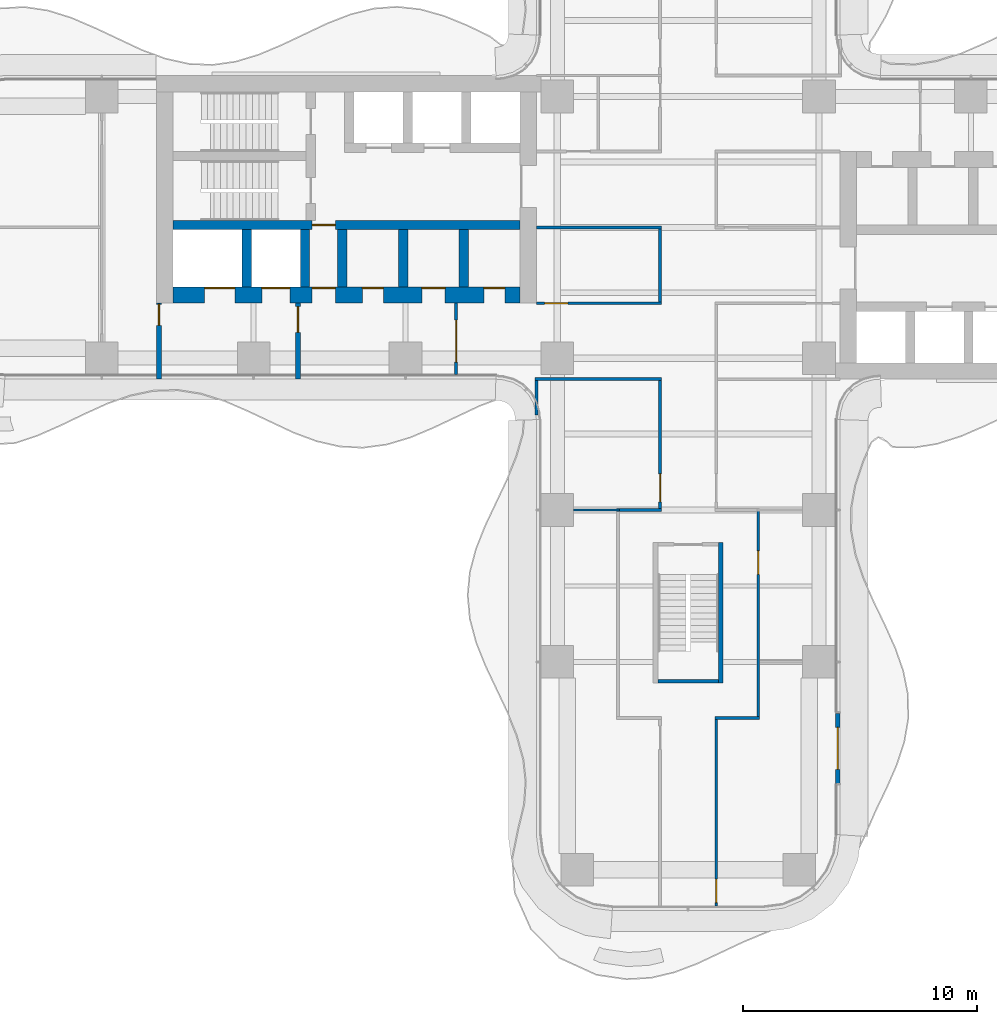
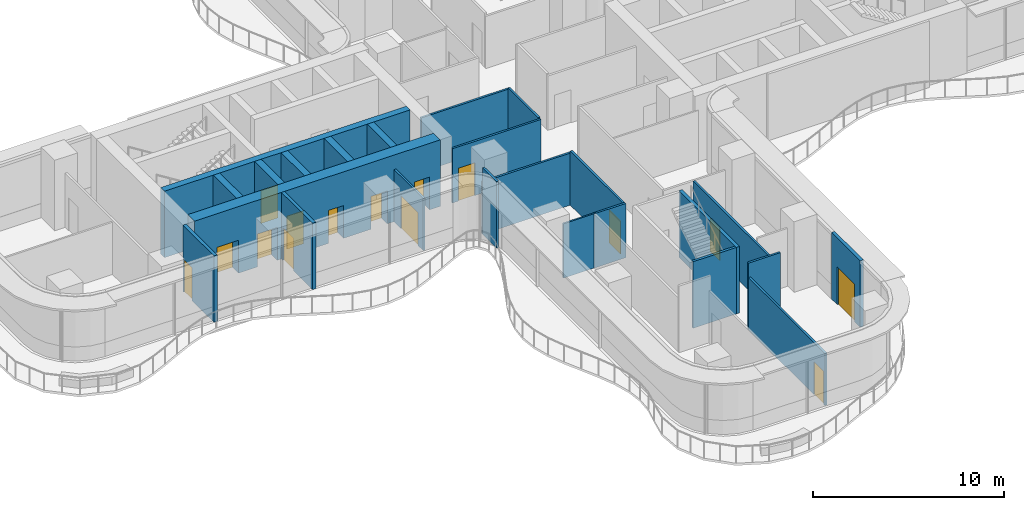
# One storey, part 17 of 22: 24 walls, 15 doors, 15 openings.
"""IFC4 building model written with IfcOpenShell, lengths in metres."""

from ifc_helpers import new_model, si_unit, direction, frame, frame_2d, origin, place, context, subcontext, project, spatial, rectangle, extrude, source, transform, mapped, material, layer, layer_set, type_object, element, fill, save


model = new_model("IFC4")

# Units and contexts
model_context = context("Model", 3, precision=1e-05, world=origin(), true_north=direction((0.0, 1.0)))
body_context = subcontext(model_context, "Body", "Model", "MODEL_VIEW")
ifc_project = project(units=[si_unit("LENGTHUNIT", "METRE"), si_unit("AREAUNIT", "SQUARE_METRE"), si_unit("VOLUMEUNIT", "CUBIC_METRE"), si_unit("PLANEANGLEUNIT", "RADIAN"), si_unit("MASSUNIT", "GRAM", prefix="KILO")], contexts=[model_context])

# Site, building, storey
site_placement = place(None, origin())
site = spatial("IfcSite", under=ifc_project, at=site_placement, CompositionType="ELEMENT")
building_placement = place(site_placement, origin())
building = spatial("IfcBuilding", under=site, at=building_placement, Name="Trellis Farm Tower", CompositionType="ELEMENT")
storey_placement = place(building_placement, frame((0.0, 0.0, 70.0)))
storey = spatial("IfcBuildingStorey", under=building, at=storey_placement, Name="L14", CompositionType="ELEMENT", Elevation=70.0)

# Walls
ifc_material_1 = material(Name="Concrete C80/95", Category="concrete")
ifc_layer_1 = layer(ifc_material_1, 0.39990234375)
ifc_layer_set_1 = layer_set([ifc_layer_1], Name="CORE INNER WALL 400 CONCRETE C80/95")
wall_type_1 = type_object("IfcWallType", Name="CORE INNER WALL 400 CONCRETE C80/95", PredefinedType="SHEAR", material=ifc_layer_set_1)
shared_shape_1 = source(origin(), body_context, "Body", "SweptSolid", [
    extrude(rectangle(XDim=2.449951171875, YDim=0.39990234375, at=frame_2d((1.22509765625, 0.0))), origin(), (0.0, 0.0, 1.0), 4.25),
])
for number, where, z_axis, x_axis, name in (
    (1, (-9.60009765625, -0.10009765625, 0.0), (0.0, 0.0, 1.0), (0.0, -1.0, 0.0), "Core wall"),
    (2, (-12.199951171875, -0.10009765625, 0.0), (0.0, 0.0, 1.0), (0.0, -1.0, 0.0), "Core wall"),
    (3, (-14.800048828125, -0.10009765625, 0.0), (0.0, 0.0, 1.0), (0.0, -1.0, 0.0), "Core wall"),
    (4, (-16.39990234375, -0.10009765625, 0.0), (0.0, 0.0, 1.0), (0.0, -1.0, 0.0), "Core wall"),
    (5, (-18.89990234375, -0.10009765625, 0.0), (0.0, 0.0, 1.0), (0.0, -1.0, 0.0), "Core wall"),
):
    element("IfcWall", number, at=place(storey_placement, frame(where, z_axis=z_axis, x_axis=x_axis)), inside=storey, type_object=wall_type_1, Name=name, PredefinedType="SHEAR", context=body_context, shape_type="MappedRepresentation", body=[
        mapped(shared_shape_1, transform((0.0, 0.0, 0.0))),
    ])

# Wall, opening, door
ifc_material_2 = material(Name="Masonry blockwork", Category="masonry")
ifc_layer_2 = layer(ifc_material_2, 0.199951171875)
ifc_layer_set_2 = layer_set([ifc_layer_2], Name="FIRE LOBBY PARTITION 200 BLOCKWORK")
wall_type_2 = type_object("IfcWallType", Name="FIRE LOBBY PARTITION 200 BLOCKWORK", PredefinedType="PARTITIONING", material=ifc_layer_set_2)
shared_shape_2 = source(origin(), body_context, "Body", "SweptSolid", [
    extrude(rectangle(XDim=3.25, YDim=0.199951171875, at=frame_2d((1.625, 0.0))), origin(), (0.0, 0.0, 1.0), 4.25),
])
wall_1_placement = place(storey_placement, frame((-16.699951171875, -3.25, 0.0), z_axis=(0.0, 0.0, 1.0), x_axis=(0.0, -1.0, 0.0)))
wall_1 = element("IfcWall", 6, at=wall_1_placement, inside=storey, type_object=wall_type_2, Name="Fire-fighting lobby partition", PredefinedType="PARTITIONING", context=body_context, shape_type="MappedRepresentation", body=[
    mapped(shared_shape_2, transform((0.0, 0.0, 0.0))),
])
shared_shape_3 = source(origin(), body_context, "Body", "SweptSolid", [
    extrude(rectangle(XDim=1.10009765625, YDim=2.10009765625, at=frame_2d((0.550048828125, 1.050048828125))), frame((0.0, 0.110107421875, 0.0), z_axis=(0.0, -1.0, 0.0), x_axis=(1.0, 0.0, 0.0)), (0.0, 0.0, 1.0), 0.22021484375),
])
opening_1_placement = place(wall_1_placement, frame((0.14990234375, 0.0, 0.0)))
opening_1 = element("IfcOpeningElement", 7, at=opening_1_placement, cuts=wall_1, Name="Opening DC93", PredefinedType="OPENING", context=body_context, shape_type="MappedRepresentation", body=[
    mapped(shared_shape_3, transform((0.0, 0.0, 0.0))),
])
ifc_material_3 = material(Name="Steel", Category="steel")
door_type_1 = type_object("IfcDoorType", Name="CORE FIRE DOOR 1100 X 2100", OperationType="NOTDEFINED", PredefinedType="DOOR", material=ifc_material_3)
shared_shape_4 = source(origin(), body_context, "Body", "SweptSolid", [
    extrude(rectangle(XDim=1.10009765625, YDim=2.10009765625, at=frame_2d((0.550048828125, 1.050048828125))), frame((0.0, 0.02490234375, 0.0), z_axis=(0.0, -1.0, 0.0), x_axis=(1.0, 0.0, 0.0)), (0.0, 0.0, 1.0), 0.050048828125),
])
door_1_placement = place(opening_1_placement, origin())
door_1 = element("IfcDoor", 8, at=door_1_placement, inside=storey, type_object=door_type_1, Name="Core door", OperationType="SINGLE_SWING_RIGHT", OverallHeight=2.10009765625, OverallWidth=1.10009765625, PredefinedType="DOOR", context=body_context, shape_type="MappedRepresentation", body=[
    mapped(shared_shape_4, transform((0.0, 0.0, 0.0))),
])
fill(opening_1, door_1)

wall_2_placement = place(storey_placement, frame((-22.64990234375, -3.25, 0.0), z_axis=(0.0, 0.0, 1.0), x_axis=(0.0, -1.0, 0.0)))
wall_2 = element("IfcWall", 9, at=wall_2_placement, inside=storey, type_object=wall_type_2, Name="Fire-fighting lobby partition", PredefinedType="PARTITIONING", context=body_context, shape_type="MappedRepresentation", body=[
    mapped(shared_shape_2, transform((0.0, 0.0, 0.0))),
])
shared_shape_5 = source(origin(), body_context, "Body", "SweptSolid", [
    extrude(rectangle(XDim=0.89990234375, YDim=2.10009765625, at=frame_2d((0.449951171875, 1.050048828125))), frame((0.0, 0.110107421875, 0.0), z_axis=(0.0, -1.0, 0.0), x_axis=(1.0, 0.0, 0.0)), (0.0, 0.0, 1.0), 0.22021484375),
])
opening_2_placement = place(wall_2_placement, frame((0.050048828125, 0.0, 0.0)))
opening_2 = element("IfcOpeningElement", 10, at=opening_2_placement, cuts=wall_2, Name="Opening DC94", PredefinedType="OPENING", context=body_context, shape_type="MappedRepresentation", body=[
    mapped(shared_shape_5, transform((0.0, 0.0, 0.0))),
])
door_type_2 = type_object("IfcDoorType", Name="CORE FIRE DOOR 900 X 2100", OperationType="NOTDEFINED", PredefinedType="DOOR", material=ifc_material_3)
shared_shape_6 = source(origin(), body_context, "Body", "SweptSolid", [
    extrude(rectangle(XDim=0.89990234375, YDim=2.10009765625, at=frame_2d((0.449951171875, 1.050048828125))), frame((0.0, 0.02490234375, 0.0), z_axis=(0.0, -1.0, 0.0), x_axis=(1.0, 0.0, 0.0)), (0.0, 0.0, 1.0), 0.050048828125),
])
door_2_placement = place(opening_2_placement, origin())
door_2 = element("IfcDoor", 11, at=door_2_placement, inside=storey, type_object=door_type_2, Name="Core door", OperationType="SINGLE_SWING_RIGHT", OverallHeight=2.10009765625, OverallWidth=0.89990234375, PredefinedType="DOOR", context=body_context, shape_type="MappedRepresentation", body=[
    mapped(shared_shape_6, transform((0.0, 0.0, 0.0))),
])
fill(opening_2, door_2)

# Wall, openings, doors
ifc_layer_3 = layer(ifc_material_1, 0.699951171875)
ifc_layer_set_3 = layer_set([ifc_layer_3], Name="CORE OUTER WALL 700 CONCRETE C80/95")
wall_type_3 = type_object("IfcWallType", Name="CORE OUTER WALL 700 CONCRETE C80/95", PredefinedType="SHEAR", material=ifc_layer_set_3)
shared_shape_7 = source(origin(), body_context, "Body", "SweptSolid", [
    extrude(rectangle(XDim=14.85009765625, YDim=0.699951171875, at=frame_2d((7.425048828125, 0.0))), origin(), (0.0, 0.0, 1.0), 4.25),
])
wall_3_placement = place(storey_placement, frame((-7.199951171875, -2.89990234375, 0.0), z_axis=(0.0, 0.0, 1.0), x_axis=(-1.0, 0.0, 0.0)))
wall_3 = element("IfcWall", 12, at=wall_3_placement, inside=storey, type_object=wall_type_3, Name="Core wall", PredefinedType="SHEAR", context=body_context, shape_type="MappedRepresentation", body=[
    mapped(shared_shape_7, transform((0.0, 0.0, 0.0))),
])
shared_shape_8 = source(origin(), body_context, "Body", "SweptSolid", [
    extrude(rectangle(XDim=1.300048828125, YDim=2.10009765625, at=frame_2d((0.64990234375, 1.050048828125))), frame((0.0, 0.360107421875, 0.0), z_axis=(0.0, -1.0, 0.0), x_axis=(1.0, 0.0, 0.0)), (0.0, 0.0, 1.0), 0.72021484375),
])
opening_3_placement = place(wall_3_placement, frame((12.199951171875, 0.0, 0.0)))
opening_3 = element("IfcOpeningElement", 13, at=opening_3_placement, cuts=wall_3, Name="Opening LD15", PredefinedType="OPENING", context=body_context, shape_type="MappedRepresentation", body=[
    mapped(shared_shape_8, transform((0.0, 0.0, 0.0))),
])
shared_shape_9 = source(origin(), body_context, "Body", "SweptSolid", [
    extrude(rectangle(XDim=1.199951171875, YDim=2.10009765625, at=frame_2d((0.60009765625, 1.050048828125))), frame((0.0, 0.360107421875, 0.0), z_axis=(0.0, -1.0, 0.0), x_axis=(1.0, 0.0, 0.0)), (0.0, 0.0, 1.0), 0.72021484375),
])
opening_4_placement = place(wall_3_placement, frame((9.85009765625, 0.0, 0.0)))
opening_4 = element("IfcOpeningElement", 14, at=opening_4_placement, cuts=wall_3, Name="Opening LD16", PredefinedType="OPENING", context=body_context, shape_type="MappedRepresentation", body=[
    mapped(shared_shape_9, transform((0.0, 0.0, 0.0))),
])
shared_shape_10 = source(origin(), body_context, "Body", "SweptSolid", [
    extrude(rectangle(XDim=1.0, YDim=2.10009765625, at=frame_2d((0.5, 1.050048828125))), frame((0.0, 0.360107421875, 0.0), z_axis=(0.0, -1.0, 0.0), x_axis=(1.0, 0.0, 0.0)), (0.0, 0.0, 1.0), 0.72021484375),
])
opening_5_placement = place(wall_3_placement, frame((7.89990234375, 0.0, 0.0)))
opening_5 = element("IfcOpeningElement", 15, at=opening_5_placement, cuts=wall_3, Name="Opening DC92", PredefinedType="OPENING", context=body_context, shape_type="MappedRepresentation", body=[
    mapped(shared_shape_10, transform((0.0, 0.0, 0.0))),
])
shared_shape_11 = source(origin(), body_context, "Body", "SweptSolid", [
    extrude(rectangle(XDim=0.89990234375, YDim=2.10009765625, at=frame_2d((0.449951171875, 1.050048828125))), frame((0.0, 0.360107421875, 0.0), z_axis=(0.0, -1.0, 0.0), x_axis=(1.0, 0.0, 0.0)), (0.0, 0.0, 1.0), 0.72021484375),
])
opening_6_placement = place(wall_3_placement, frame((0.64990234375, 0.0, 0.0)))
opening_6 = element("IfcOpeningElement", 16, at=opening_6_placement, cuts=wall_3, Name="Opening DC97", PredefinedType="OPENING", context=body_context, shape_type="MappedRepresentation", body=[
    mapped(shared_shape_11, transform((0.0, 0.0, 0.0))),
])
opening_7_placement = place(wall_3_placement, frame((3.199951171875, 0.0, 0.0)))
opening_7 = element("IfcOpeningElement", 17, at=opening_7_placement, cuts=wall_3, Name="Opening DC112", PredefinedType="OPENING", context=body_context, shape_type="MappedRepresentation", body=[
    mapped(shared_shape_10, transform((0.0, 0.0, 0.0))),
])
opening_8_placement = place(wall_3_placement, frame((5.85009765625, 0.0, 0.0)))
opening_8 = element("IfcOpeningElement", 18, at=opening_8_placement, cuts=wall_3, Name="Opening DC121", PredefinedType="OPENING", context=body_context, shape_type="MappedRepresentation", body=[
    mapped(shared_shape_11, transform((0.0, 0.0, 0.0))),
])
door_type_3 = type_object("IfcDoorType", Name="CORE FIRE DOOR 1000 X 2100", OperationType="NOTDEFINED", PredefinedType="DOOR", material=ifc_material_3)
shared_shape_12 = source(origin(), body_context, "Body", "SweptSolid", [
    extrude(rectangle(XDim=1.0, YDim=2.10009765625, at=frame_2d((0.5, 1.050048828125))), frame((0.0, -0.27490234375, 0.0), z_axis=(0.0, -1.0, 0.0), x_axis=(1.0, 0.0, 0.0)), (0.0, 0.0, 1.0), 0.050048828125),
])
door_3_placement = place(opening_5_placement, origin())
door_3 = element("IfcDoor", 19, at=door_3_placement, inside=storey, type_object=door_type_3, Name="Core door", OperationType="SINGLE_SWING_LEFT", OverallHeight=2.10009765625, OverallWidth=1.0, PredefinedType="DOOR", context=body_context, shape_type="MappedRepresentation", body=[
    mapped(shared_shape_12, transform((0.0, 0.0, 0.0))),
])
fill(opening_5, door_3)
door_4_placement = place(opening_7_placement, origin())
door_4 = element("IfcDoor", 20, at=door_4_placement, inside=storey, type_object=door_type_3, Name="Core door", OperationType="SINGLE_SWING_RIGHT", OverallHeight=2.10009765625, OverallWidth=1.0, PredefinedType="DOOR", context=body_context, shape_type="MappedRepresentation", body=[
    mapped(shared_shape_12, transform((0.0, 0.0, 0.0))),
])
fill(opening_7, door_4)
shared_shape_13 = source(origin(), body_context, "Body", "SweptSolid", [
    extrude(rectangle(XDim=0.89990234375, YDim=2.10009765625, at=frame_2d((0.449951171875, 1.050048828125))), frame((0.0, -0.27490234375, 0.0), z_axis=(0.0, -1.0, 0.0), x_axis=(1.0, 0.0, 0.0)), (0.0, 0.0, 1.0), 0.050048828125),
])
door_5_placement = place(opening_6_placement, origin())
door_5 = element("IfcDoor", 21, at=door_5_placement, inside=storey, type_object=door_type_2, Name="Core door", OperationType="SINGLE_SWING_LEFT", OverallHeight=2.10009765625, OverallWidth=0.89990234375, PredefinedType="DOOR", context=body_context, shape_type="MappedRepresentation", body=[
    mapped(shared_shape_13, transform((0.0, 0.0, 0.0))),
])
fill(opening_6, door_5)
door_6_placement = place(opening_8_placement, origin())
door_6 = element("IfcDoor", 22, at=door_6_placement, inside=storey, type_object=door_type_2, Name="Core door", OperationType="SINGLE_SWING_LEFT", OverallHeight=2.10009765625, OverallWidth=0.89990234375, PredefinedType="DOOR", context=body_context, shape_type="MappedRepresentation", body=[
    mapped(shared_shape_13, transform((0.0, 0.0, 0.0))),
])
fill(opening_8, door_6)
ifc_material_4 = material(Name="Stainless steel", Category="steel")
door_type_4 = type_object("IfcDoorType", Name="LIFT LANDING DOOR 1300 X 2100", OperationType="DOUBLE_DOOR_SLIDING", PredefinedType="DOOR", material=ifc_material_4)
shared_shape_14 = source(origin(), body_context, "Body", "SweptSolid", [
    extrude(rectangle(XDim=1.300048828125, YDim=2.10009765625, at=frame_2d((0.64990234375, 1.050048828125))), frame((0.0, -0.27490234375, 0.0), z_axis=(0.0, -1.0, 0.0), x_axis=(1.0, 0.0, 0.0)), (0.0, 0.0, 1.0), 0.050048828125),
])
door_7_placement = place(opening_3_placement, origin())
door_7 = element("IfcDoor", 23, at=door_7_placement, inside=storey, type_object=door_type_4, Name="Lift landing door", OperationType="DOUBLE_DOOR_SLIDING", OverallHeight=2.10009765625, OverallWidth=1.300048828125, PredefinedType="DOOR", context=body_context, shape_type="MappedRepresentation", body=[
    mapped(shared_shape_14, transform((0.0, 0.0, 0.0))),
])
fill(opening_3, door_7)
door_type_5 = type_object("IfcDoorType", Name="LIFT LANDING DOOR 1200 X 2100", OperationType="DOUBLE_DOOR_SLIDING", PredefinedType="DOOR", material=ifc_material_4)
shared_shape_15 = source(origin(), body_context, "Body", "SweptSolid", [
    extrude(rectangle(XDim=1.199951171875, YDim=2.10009765625, at=frame_2d((0.60009765625, 1.050048828125))), frame((0.0, -0.27490234375, 0.0), z_axis=(0.0, -1.0, 0.0), x_axis=(1.0, 0.0, 0.0)), (0.0, 0.0, 1.0), 0.050048828125),
])
door_8_placement = place(opening_4_placement, origin())
door_8 = element("IfcDoor", 24, at=door_8_placement, inside=storey, type_object=door_type_5, Name="Lift landing door", OperationType="DOUBLE_DOOR_SLIDING", OverallHeight=2.10009765625, OverallWidth=1.199951171875, PredefinedType="DOOR", context=body_context, shape_type="MappedRepresentation", body=[
    mapped(shared_shape_15, transform((0.0, 0.0, 0.0))),
])
fill(opening_4, door_8)

# Wall, opening, door
shared_shape_16 = source(origin(), body_context, "Body", "SweptSolid", [
    extrude(rectangle(XDim=14.85009765625, YDim=0.39990234375, at=frame_2d((7.425048828125, 0.0))), origin(), (0.0, 0.0, 1.0), 4.25),
])
wall_4_placement = place(storey_placement, frame((-7.199951171875, 0.10009765625, 0.0), z_axis=(0.0, 0.0, 1.0), x_axis=(-1.0, 0.0, 0.0)))
wall_4 = element("IfcWall", 25, at=wall_4_placement, inside=storey, type_object=wall_type_1, Name="Core wall", PredefinedType="SHEAR", context=body_context, shape_type="MappedRepresentation", body=[
    mapped(shared_shape_16, transform((0.0, 0.0, 0.0))),
])
shared_shape_17 = source(origin(), body_context, "Body", "SweptSolid", [
    extrude(rectangle(XDim=1.0, YDim=2.10009765625, at=frame_2d((0.5, 1.050048828125))), frame((0.0, 0.2099609375, 0.0), z_axis=(0.0, -1.0, 0.0), x_axis=(1.0, 0.0, 0.0)), (0.0, 0.0, 1.0), 0.419921875),
])
opening_9_placement = place(wall_4_placement, frame((7.89990234375, 0.0, 0.0)))
opening_9 = element("IfcOpeningElement", 26, at=opening_9_placement, cuts=wall_4, Name="Opening DC91", PredefinedType="OPENING", context=body_context, shape_type="MappedRepresentation", body=[
    mapped(shared_shape_17, transform((0.0, 0.0, 0.0))),
])
shared_shape_18 = source(origin(), body_context, "Body", "SweptSolid", [
    extrude(rectangle(XDim=1.0, YDim=2.10009765625, at=frame_2d((0.5, 1.050048828125))), frame((0.0, 0.02490234375, 0.0), z_axis=(0.0, -1.0, 0.0), x_axis=(1.0, 0.0, 0.0)), (0.0, 0.0, 1.0), 0.050048828125),
])
door_9_placement = place(opening_9_placement, origin())
door_9 = element("IfcDoor", 27, at=door_9_placement, inside=storey, type_object=door_type_3, Name="Core door", OperationType="SINGLE_SWING_RIGHT", OverallHeight=2.10009765625, OverallWidth=1.0, PredefinedType="DOOR", context=body_context, shape_type="MappedRepresentation", body=[
    mapped(shared_shape_18, transform((0.0, 0.0, 0.0))),
])
fill(opening_9, door_9)

# Walls
ifc_layer_4 = layer(ifc_material_1, 0.199951171875)
ifc_layer_set_4 = layer_set([ifc_layer_4], Name="CORE STAIR ENCLOSURE WALL 200 CONCRETE C80/95")
wall_type_4 = type_object("IfcWallType", Name="CORE STAIR ENCLOSURE WALL 200 CONCRETE C80/95", PredefinedType="SHEAR", material=ifc_layer_set_4)
shared_shape_19 = source(origin(), body_context, "Body", "SweptSolid", [
    extrude(rectangle(XDim=6.0, YDim=0.199951171875, at=frame_2d((3.0, 0.0))), origin(), (0.0, 0.0, 1.0), 4.25),
])
wall_5_placement = place(storey_placement, frame((1.39990234375, -13.5, 0.0), z_axis=(0.0, 0.0, 1.0), x_axis=(0.0, -1.0, 0.0)))
element("IfcWall", 28, at=wall_5_placement, inside=storey, type_object=wall_type_4, Name="Stair enclosure wall", PredefinedType="SHEAR", context=body_context, shape_type="MappedRepresentation", body=[
    mapped(shared_shape_19, transform((0.0, 0.0, 0.0))),
])
ifc_layer_5 = layer(ifc_material_1, 0.14990234375)
ifc_layer_set_5 = layer_set([ifc_layer_5], Name="CORE STAIR ENCLOSURE WALL 150 CONCRETE C80/95")
wall_type_5 = type_object("IfcWallType", Name="CORE STAIR ENCLOSURE WALL 150 CONCRETE C80/95", PredefinedType="SHEAR", material=ifc_layer_set_5)
shared_shape_20 = source(origin(), body_context, "Body", "SweptSolid", [
    extrude(rectangle(XDim=2.60009765625, YDim=0.14990234375, at=frame_2d((1.300048828125, 0.0))), origin(), (0.0, 0.0, 1.0), 4.25),
])
wall_6_placement = place(storey_placement, frame((1.300048828125, -19.425048828125, 0.0), z_axis=(0.0, 0.0, 1.0), x_axis=(-1.0, 0.0, 0.0)))
element("IfcWall", 29, at=wall_6_placement, inside=storey, type_object=wall_type_5, Name="Stair enclosure wall", PredefinedType="SHEAR", context=body_context, shape_type="MappedRepresentation", body=[
    mapped(shared_shape_20, transform((0.0, 0.0, 0.0))),
])

# Wall, opening, door
ifc_material_5 = material(Name="Sandstone faced insulated wall", Category="masonry")
ifc_layer_6 = layer(ifc_material_5, 0.199951171875)
ifc_layer_set_6 = layer_set([ifc_layer_6], Name="EXTERNAL INFILL WALL 200")
wall_type_6 = type_object("IfcWallType", Name="EXTERNAL INFILL WALL 200", PredefinedType="SOLIDWALL", material=ifc_layer_set_6)
shared_shape_21 = source(origin(), body_context, "Body", "SweptSolid", [
    extrude(rectangle(XDim=3.0, YDim=0.199951171875, at=frame_2d((1.5, 0.0))), origin(), (0.0, 0.0, 1.0), 4.25),
])
wall_7_placement = place(storey_placement, frame((6.39990234375, -23.800048828125, 0.0), z_axis=(0.0, 0.0, 1.0), x_axis=(0.0, 1.0, 0.0)))
wall_7 = element("IfcWall", 30, at=wall_7_placement, inside=storey, type_object=wall_type_6, Name="EW1 01", PredefinedType="SOLIDWALL", context=body_context, shape_type="MappedRepresentation", body=[
    mapped(shared_shape_21, transform((0.0, 0.0, 0.0))),
])
shared_shape_22 = source(origin(), body_context, "Body", "SweptSolid", [
    extrude(rectangle(XDim=1.800048828125, YDim=2.39990234375, at=frame_2d((0.89990234375, 1.199951171875))), frame((0.0, 0.110107421875, 0.0), z_axis=(0.0, -1.0, 0.0), x_axis=(1.0, 0.0, 0.0)), (0.0, 0.0, 1.0), 0.22021484375),
])
opening_10_placement = place(wall_7_placement, frame((0.60009765625, 0.0, 0.0)))
opening_10 = element("IfcOpeningElement", 31, at=opening_10_placement, cuts=wall_7, Name="Opening ED1", PredefinedType="OPENING", context=body_context, shape_type="MappedRepresentation", body=[
    mapped(shared_shape_22, transform((0.0, 0.0, 0.0))),
])
ifc_material_6 = material(Name="Aluminium framed glazed door", Category="aluminium")
door_type_6 = type_object("IfcDoorType", Name="BALCONY DOOR 1800x2400", OperationType="DOUBLE_DOOR_SINGLE_SWING", PredefinedType="DOOR", material=ifc_material_6)
shared_shape_23 = source(origin(), body_context, "Body", "SweptSolid", [
    extrude(rectangle(XDim=1.800048828125, YDim=2.39990234375, at=frame_2d((0.89990234375, 1.199951171875))), frame((0.0, 0.02490234375, 0.0), z_axis=(0.0, -1.0, 0.0), x_axis=(1.0, 0.0, 0.0)), (0.0, 0.0, 1.0), 0.050048828125),
])
door_10_placement = place(opening_10_placement, origin())
door_10 = element("IfcDoor", 32, at=door_10_placement, inside=storey, type_object=door_type_6, Name="Balcony door", OperationType="DOUBLE_DOOR_SINGLE_SWING", OverallHeight=2.39990234375, OverallWidth=1.800048828125, PredefinedType="DOOR", context=body_context, shape_type="MappedRepresentation", body=[
    mapped(shared_shape_23, transform((0.0, 0.0, 0.0))),
])
fill(opening_10, door_10)

# Wall
ifc_material_7 = material(Name="Plasterboard on steel studs, mineral wool", Category="steel")
ifc_layer_7 = layer(ifc_material_7, 0.125)
ifc_layer_set_7 = layer_set([ifc_layer_7], Name="PARTITION 125 STUD EI 60")
wall_type_7 = type_object("IfcWallType", Name="PARTITION 125 STUD EI 60", PredefinedType="PARTITIONING", material=ifc_layer_set_7)
shared_shape_24 = source(origin(), body_context, "Body", "SweptSolid", [
    extrude(rectangle(XDim=3.125, YDim=0.125, at=frame_2d((1.5625, 0.0))), origin(), (0.0, 0.0, 1.0), 3.54638671875),
])
wall_8_placement = place(storey_placement, frame((-1.199951171875, -0.0625, 0.0), z_axis=(0.0, 0.0, 1.0), x_axis=(0.0, -1.0, 0.0)))
element("IfcWall", 33, at=wall_8_placement, inside=storey, type_object=wall_type_7, Name="Partition PW1", PredefinedType="PARTITIONING", context=body_context, shape_type="MappedRepresentation", body=[
    mapped(shared_shape_24, transform((0.0, 0.0, 0.0))),
])

# Wall, opening, door
shared_shape_25 = source(origin(), body_context, "Body", "SweptSolid", [
    extrude(rectangle(XDim=5.47509765625, YDim=0.125, at=frame_2d((2.737548828125, 0.0))), origin(), (0.0, 0.0, 1.0), 3.4677734375),
])
wall_9_placement = place(storey_placement, frame((-1.199951171875, -6.5625, 0.0), z_axis=(0.0, 0.0, 1.0), x_axis=(0.0, -1.0, 0.0)))
wall_9 = element("IfcWall", 34, at=wall_9_placement, inside=storey, type_object=wall_type_7, Name="Partition PW1", PredefinedType="PARTITIONING", context=body_context, shape_type="MappedRepresentation", body=[
    mapped(shared_shape_25, transform((0.0, 0.0, 0.0))),
])
shared_shape_26 = source(origin(), body_context, "Body", "SweptSolid", [
    extrude(rectangle(XDim=1.199951171875, YDim=2.10009765625, at=frame_2d((0.60009765625, 1.050048828125))), frame((0.0, 0.072509765625, 0.0), z_axis=(0.0, -1.0, 0.0), x_axis=(1.0, 0.0, 0.0)), (0.0, 0.0, 1.0), 0.14501953125),
])
opening_11_placement = place(wall_9_placement, frame((3.987548828125, 0.0, 0.0)))
opening_11 = element("IfcOpeningElement", 35, at=opening_11_placement, cuts=wall_9, Name="Opening D601", PredefinedType="OPENING", context=body_context, shape_type="MappedRepresentation", body=[
    mapped(shared_shape_26, transform((0.0, 0.0, 0.0))),
])
ifc_material_8 = material(Name="Fire-rated timber door leaf in a hollow metal frame", Category="wood")
door_type_7 = type_object("IfcDoorType", Name="DOOR 1200x2100 FD30S", OperationType="NOTDEFINED", PredefinedType="DOOR", material=ifc_material_8)
shared_shape_27 = source(origin(), body_context, "Body", "SweptSolid", [
    extrude(rectangle(XDim=1.199951171875, YDim=2.10009765625, at=frame_2d((0.60009765625, 1.050048828125))), frame((0.0, 0.02490234375, 0.0), z_axis=(0.0, -1.0, 0.0), x_axis=(1.0, 0.0, 0.0)), (0.0, 0.0, 1.0), 0.050048828125),
])
door_11_placement = place(opening_11_placement, origin())
door_11 = element("IfcDoor", 36, at=door_11_placement, inside=storey, type_object=door_type_7, Name="Door D601", OperationType="SINGLE_SWING_RIGHT", OverallHeight=2.10009765625, OverallWidth=1.199951171875, PredefinedType="DOOR", context=body_context, shape_type="MappedRepresentation", body=[
    mapped(shared_shape_27, transform((0.0, 0.0, 0.0))),
])
fill(opening_11, door_11)

# Walls
shared_shape_28 = source(origin(), body_context, "Body", "SweptSolid", [
    extrude(rectangle(XDim=1.468994140625, YDim=0.125, at=frame_2d((0.734375, 0.0))), origin(), (0.0, 0.0, 1.0), 4.25),
])
wall_10_placement = place(storey_placement, frame((-6.5, -6.5625, 0.0), z_axis=(0.0, 0.0, 1.0), x_axis=(0.0, -1.0, 0.0)))
element("IfcWall", 37, at=wall_10_placement, inside=storey, type_object=wall_type_7, Name="Partition PW1", PredefinedType="PARTITIONING", context=body_context, shape_type="MappedRepresentation", body=[
    mapped(shared_shape_28, transform((0.0, 0.0, 0.0))),
])
shared_shape_29 = source(origin(), body_context, "Body", "SweptSolid", [
    extrude(rectangle(XDim=1.925048828125, YDim=0.125, at=frame_2d((0.96240234375, 0.0))), origin(), (0.0, 0.0, 1.0), 3.4677734375),
])
wall_11_placement = place(storey_placement, frame((-3.0625, -12.10009765625, 0.0), z_axis=(0.0, 0.0, 1.0), x_axis=(1.0, 0.0, 0.0)))
element("IfcWall", 38, at=wall_11_placement, inside=storey, type_object=wall_type_7, Name="Partition PW1", PredefinedType="PARTITIONING", context=body_context, shape_type="MappedRepresentation", body=[
    mapped(shared_shape_29, transform((0.0, 0.0, 0.0))),
])

# Wall, opening, door
shared_shape_30 = source(origin(), body_context, "Body", "SweptSolid", [
    extrude(rectangle(XDim=5.362548828125, YDim=0.125, at=frame_2d((2.68115234375, 0.0))), origin(), (0.0, 0.0, 1.0), 3.4677734375),
])
wall_12_placement = place(storey_placement, frame((-1.137451171875, -3.25, 0.0), z_axis=(0.0, 0.0, 1.0), x_axis=(-1.0, 0.0, 0.0)))
wall_12 = element("IfcWall", 39, at=wall_12_placement, inside=storey, type_object=wall_type_7, Name="Partition PW1", PredefinedType="PARTITIONING", context=body_context, shape_type="MappedRepresentation", body=[
    mapped(shared_shape_30, transform((0.0, 0.0, 0.0))),
])
shared_shape_31 = source(origin(), body_context, "Body", "SweptSolid", [
    extrude(rectangle(XDim=1.0, YDim=2.10009765625, at=frame_2d((0.5, 1.050048828125))), frame((0.0, 0.072509765625, 0.0), z_axis=(0.0, -1.0, 0.0), x_axis=(1.0, 0.0, 0.0)), (0.0, 0.0, 1.0), 0.14501953125),
])
opening_12_placement = place(wall_12_placement, frame((4.012451171875, 0.0, 0.0)))
opening_12 = element("IfcOpeningElement", 40, at=opening_12_placement, cuts=wall_12, Name="Opening D105", PredefinedType="OPENING", context=body_context, shape_type="MappedRepresentation", body=[
    mapped(shared_shape_31, transform((0.0, 0.0, 0.0))),
])
door_type_8 = type_object("IfcDoorType", Name="DOOR 1000x2100 FD30S", OperationType="NOTDEFINED", PredefinedType="DOOR", material=ifc_material_8)
door_12_placement = place(opening_12_placement, origin())
door_12 = element("IfcDoor", 41, at=door_12_placement, inside=storey, type_object=door_type_8, Name="Door D105", OperationType="SINGLE_SWING_RIGHT", OverallHeight=2.10009765625, OverallWidth=1.0, PredefinedType="DOOR", context=body_context, shape_type="MappedRepresentation", body=[
    mapped(shared_shape_18, transform((0.0, 0.0, 0.0))),
])
fill(opening_12, door_12)

# Walls
wall_13_placement = place(storey_placement, frame((-1.137451171875, 0.0, 0.0), z_axis=(0.0, 0.0, 1.0), x_axis=(-1.0, 0.0, 0.0)))
element("IfcWall", 42, at=wall_13_placement, inside=storey, type_object=wall_type_7, Name="Partition PW1", PredefinedType="PARTITIONING", context=body_context, shape_type="MappedRepresentation", body=[
    mapped(shared_shape_30, transform((0.0, 0.0, 0.0))),
])
shared_shape_32 = source(origin(), body_context, "Body", "SweptSolid", [
    extrude(rectangle(XDim=5.425048828125, YDim=0.125, at=frame_2d((2.71240234375, 0.0))), origin(), (0.0, 0.0, 1.0), 3.330078125),
])
wall_14_placement = place(storey_placement, frame((-1.137451171875, -6.5, 0.0), z_axis=(0.0, 0.0, 1.0), x_axis=(-1.0, 0.0, 0.0)))
element("IfcWall", 43, at=wall_14_placement, inside=storey, type_object=wall_type_7, Name="Partition PW1", PredefinedType="PARTITIONING", context=body_context, shape_type="MappedRepresentation", body=[
    mapped(shared_shape_32, transform((0.0, 0.0, 0.0))),
])
ifc_material_9 = material(Name="Plasterboard on steel studs", Category="steel")
ifc_layer_8 = layer(ifc_material_9, 0.10009765625)
ifc_layer_set_8 = layer_set([ifc_layer_8], Name="PARTITION 100 STUD EI 30")
wall_type_8 = type_object("IfcWallType", Name="PARTITION 100 STUD EI 30", PredefinedType="PARTITIONING", material=ifc_layer_set_8)
shared_shape_33 = source(origin(), body_context, "Body", "SweptSolid", [
    extrude(rectangle(XDim=1.96240234375, YDim=0.10009765625, at=frame_2d((0.981201171875, 0.0))), origin(), (0.0, 0.0, 1.0), 3.4677734375),
])
wall_15_placement = place(storey_placement, frame((-4.89990234375, -12.10009765625, 0.0), z_axis=(0.0, 0.0, 1.0), x_axis=(1.0, 0.0, 0.0)))
element("IfcWall", 44, at=wall_15_placement, inside=storey, type_object=wall_type_8, Name="Partition PW2", PredefinedType="PARTITIONING", context=body_context, shape_type="MappedRepresentation", body=[
    mapped(shared_shape_33, transform((0.0, 0.0, 0.0))),
])

# Wall, opening, door
shared_shape_34 = source(origin(), body_context, "Body", "SweptSolid", [
    extrude(rectangle(XDim=7.987548828125, YDim=0.125, at=frame_2d((3.99365234375, 0.0))), origin(), (0.0, 0.0, 1.0), 3.330078125),
])
wall_16_placement = place(storey_placement, frame((1.199951171875, -21.0625, 0.0), z_axis=(0.0, 0.0, 1.0), x_axis=(0.0, -1.0, 0.0)))
wall_16 = element("IfcWall", 45, at=wall_16_placement, inside=storey, type_object=wall_type_7, Name="Partition PW1", PredefinedType="PARTITIONING", context=body_context, shape_type="MappedRepresentation", body=[
    mapped(shared_shape_34, transform((0.0, 0.0, 0.0))),
])
opening_13_placement = place(wall_16_placement, frame((6.83740234375, 0.0, 0.0)))
opening_13 = element("IfcOpeningElement", 46, at=opening_13_placement, cuts=wall_16, Name="Opening D101", PredefinedType="OPENING", context=body_context, shape_type="MappedRepresentation", body=[
    mapped(shared_shape_31, transform((0.0, 0.0, 0.0))),
])
door_13_placement = place(opening_13_placement, origin())
door_13 = element("IfcDoor", 47, at=door_13_placement, inside=storey, type_object=door_type_8, Name="Door D101", OperationType="SINGLE_SWING_RIGHT", OverallHeight=2.10009765625, OverallWidth=1.0, PredefinedType="DOOR", context=body_context, shape_type="MappedRepresentation", body=[
    mapped(shared_shape_18, transform((0.0, 0.0, 0.0))),
])
fill(opening_13, door_13)

# Wall
shared_shape_35 = source(origin(), body_context, "Body", "SweptSolid", [
    extrude(rectangle(XDim=1.925048828125, YDim=0.125, at=frame_2d((0.96240234375, 0.0))), origin(), (0.0, 0.0, 1.0), 4.25),
])
wall_17_placement = place(storey_placement, frame((3.0625, -21.0, 0.0), z_axis=(0.0, 0.0, 1.0), x_axis=(-1.0, 0.0, 0.0)))
element("IfcWall", 48, at=wall_17_placement, inside=storey, type_object=wall_type_7, Name="Partition PW1", PredefinedType="PARTITIONING", context=body_context, shape_type="MappedRepresentation", body=[
    mapped(shared_shape_35, transform((0.0, 0.0, 0.0))),
])

# Wall, opening, door
shared_shape_36 = source(origin(), body_context, "Body", "SweptSolid", [
    extrude(rectangle(XDim=8.78759765625, YDim=0.125, at=frame_2d((4.393798828125, 0.0))), origin(), (0.0, 0.0, 1.0), 3.4677734375),
])
wall_18_placement = place(storey_placement, frame((3.0, -12.14990234375, 0.0), z_axis=(0.0, 0.0, 1.0), x_axis=(0.0, -1.0, 0.0)))
wall_18 = element("IfcWall", 49, at=wall_18_placement, inside=storey, type_object=wall_type_7, Name="Partition PW1", PredefinedType="PARTITIONING", context=body_context, shape_type="MappedRepresentation", body=[
    mapped(shared_shape_36, transform((0.0, 0.0, 0.0))),
])
opening_14_placement = place(wall_18_placement, frame((1.699951171875, 0.0, 0.0)))
opening_14 = element("IfcOpeningElement", 50, at=opening_14_placement, cuts=wall_18, Name="Opening D103", PredefinedType="OPENING", context=body_context, shape_type="MappedRepresentation", body=[
    mapped(shared_shape_31, transform((0.0, 0.0, 0.0))),
])
door_14_placement = place(opening_14_placement, origin())
door_14 = element("IfcDoor", 51, at=door_14_placement, inside=storey, type_object=door_type_8, Name="Door D103", OperationType="SINGLE_SWING_LEFT", OverallHeight=2.10009765625, OverallWidth=1.0, PredefinedType="DOOR", context=body_context, shape_type="MappedRepresentation", body=[
    mapped(shared_shape_18, transform((0.0, 0.0, 0.0))),
])
fill(opening_14, door_14)

shared_shape_37 = source(origin(), body_context, "Body", "SweptSolid", [
    extrude(rectangle(XDim=3.050048828125, YDim=0.125, at=frame_2d((1.52490234375, 0.0))), origin(), (0.0, 0.0, 1.0), 3.330078125),
])
wall_19_placement = place(storey_placement, frame((-9.93408203125, -6.300048828125, 0.0), z_axis=(0.0, 0.0, 1.0), x_axis=(0.0, 1.0, 0.0)))
wall_19 = element("IfcWall", 52, at=wall_19_placement, inside=storey, type_object=wall_type_7, Name="Partition PW1", PredefinedType="PARTITIONING", context=body_context, shape_type="MappedRepresentation", body=[
    mapped(shared_shape_37, transform((0.0, 0.0, 0.0))),
])
shared_shape_38 = source(origin(), body_context, "Body", "SweptSolid", [
    extrude(rectangle(XDim=1.800048828125, YDim=2.10009765625, at=frame_2d((0.89990234375, 1.050048828125))), frame((0.0, 0.072509765625, 0.0), z_axis=(0.0, -1.0, 0.0), x_axis=(1.0, 0.0, 0.0)), (0.0, 0.0, 1.0), 0.14501953125),
])
opening_15_placement = place(wall_19_placement, frame((0.52490234375, 0.0, 0.0)))
opening_15 = element("IfcOpeningElement", 53, at=opening_15_placement, cuts=wall_19, Name="Opening D401", PredefinedType="OPENING", context=body_context, shape_type="MappedRepresentation", body=[
    mapped(shared_shape_38, transform((0.0, 0.0, 0.0))),
])
door_type_9 = type_object("IfcDoorType", Name="DOOR PAIR 1800x2100 FD60", OperationType="NOTDEFINED", PredefinedType="DOOR", material=ifc_material_8)
shared_shape_39 = source(origin(), body_context, "Body", "SweptSolid", [
    extrude(rectangle(XDim=1.800048828125, YDim=2.10009765625, at=frame_2d((0.89990234375, 1.050048828125))), frame((0.0, 0.02490234375, 0.0), z_axis=(0.0, -1.0, 0.0), x_axis=(1.0, 0.0, 0.0)), (0.0, 0.0, 1.0), 0.050048828125),
])
door_15_placement = place(opening_15_placement, origin())
door_15 = element("IfcDoor", 54, at=door_15_placement, inside=storey, type_object=door_type_9, Name="Door D401", OperationType="DOUBLE_DOOR_SINGLE_SWING", OverallHeight=2.10009765625, OverallWidth=1.800048828125, PredefinedType="DOOR", context=body_context, shape_type="MappedRepresentation", body=[
    mapped(shared_shape_39, transform((0.0, 0.0, 0.0))),
])
fill(opening_15, door_15)

save(model, "model.ifc")
